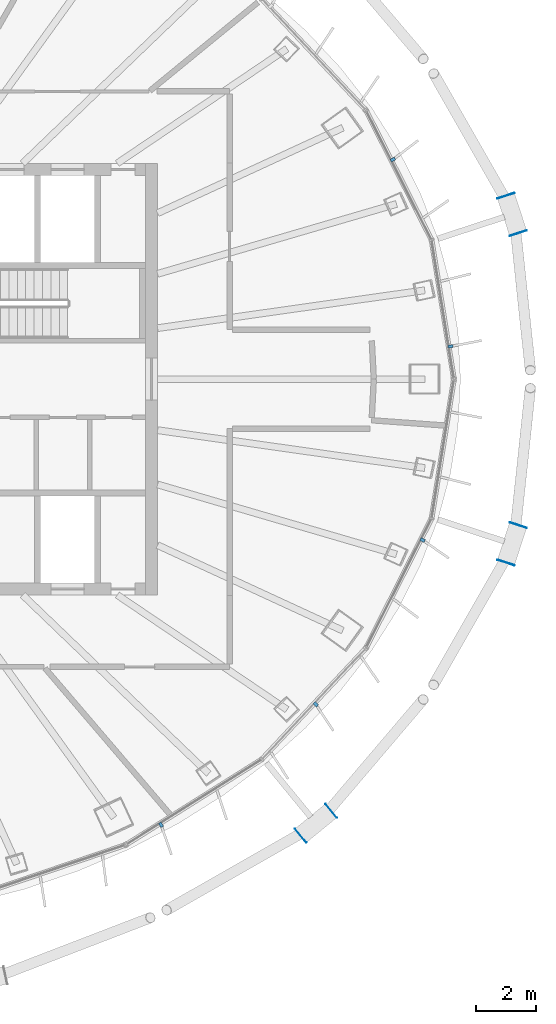
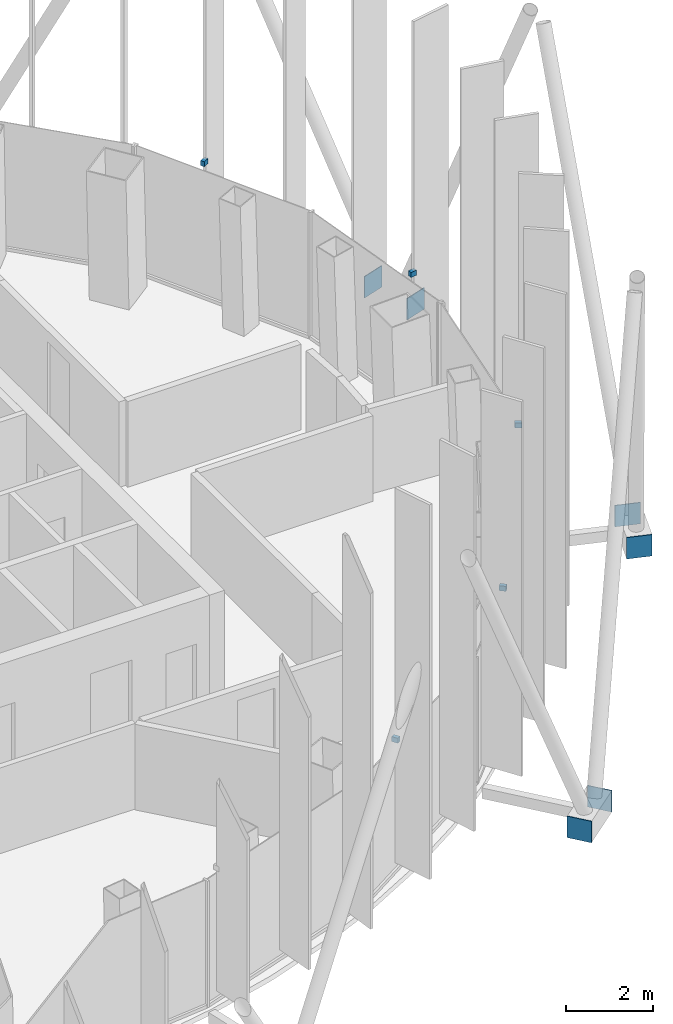
# One storey, part 14 of 19: 11 discrete accessories.
"""IFC4 building model written with IfcOpenShell, lengths in metres."""

from ifc_helpers import new_model, si_unit, direction, frame, origin, origin_2d, place, context, subcontext, project, spatial, rectangle, extrude, material, layer, layer_set, type_object, element, save


model = new_model("IFC4")

# Units and contexts
model_context = context("Model", 3, precision=1e-05, world=origin(), true_north=direction((0.0, 1.0)))
body_context = subcontext(model_context, "Body", "Model", "MODEL_VIEW")
ifc_project = project(units=[si_unit("LENGTHUNIT", "METRE"), si_unit("AREAUNIT", "SQUARE_METRE"), si_unit("VOLUMEUNIT", "CUBIC_METRE"), si_unit("PLANEANGLEUNIT", "RADIAN"), si_unit("MASSUNIT", "GRAM", prefix="KILO")], contexts=[model_context])

# Site, building, storey
site_placement = place(None, origin())
site = spatial("IfcSite", under=ifc_project, at=site_placement, CompositionType="ELEMENT")
building_placement = place(site_placement, origin())
building = spatial("IfcBuilding", under=site, at=building_placement, Name="Siaravel Broadcast Tower", CompositionType="ELEMENT")
storey_placement = place(building_placement, frame((0.0, 0.0, 217.10009765625)))
storey = spatial("IfcBuildingStorey", under=building, at=storey_placement, Name="L52", CompositionType="ELEMENT", Elevation=217.10009765625)

# Discrete accessories
ifc_material_1 = material(Name="Stainless steel 316", Category="steel")
discrete_accessory_type_1 = type_object("IfcDiscreteAccessoryType", Name="Stainless steel fin bracket", PredefinedType="USERDEFINED", material=ifc_material_1)
for number, where, z_axis, x_axis, name in (
    (1, (21.771484375, 1.092529296875, 3.6748046875), (0.0, 0.0, 1.0), (0.987329198, 0.158685394, 0.0), "Fin bracket L52-01"),
    (2, (19.85107421875, 7.326416015625, 3.6748046875), (0.0, 0.0, 1.0), (0.892392939, 0.451259174, 0.0), "Fin bracket L52-04"),
    (3, (12.1123046875, -14.868896484375, 3.6748046875), (0.0, 0.0, 1.0), (0.532149452, -0.846650436, 0.0), "Fin bracket L52-49"),
    (4, (17.277099609375, -10.847412109375, 3.6748046875), (0.0, 0.0, 1.0), (0.729805608, -0.683654718, 0.0), "Fin bracket L52-52"),
    (5, (20.841064453125, -5.368408203125, 3.6748046875), (0.0, 0.0, 1.0), (0.892392939, -0.451259174, 0.0), "Fin bracket L52-55"),
):
    element("IfcDiscreteAccessory", number, at=place(storey_placement, frame(where, z_axis=z_axis, x_axis=x_axis)), inside=storey, type_object=discrete_accessory_type_1, Name=name, ObjectType="BRACKET", PredefinedType="USERDEFINED", context=body_context, shape_type="SweptSolid", body=[
        extrude(rectangle(XDim=0.159912109375, YDim=0.10009765625, at=origin_2d()), origin(), (0.0, 0.0, 1.0), 0.139892578125),
    ])
ifc_material_2 = material(Name="Steel S355", Category="steel")
ifc_layer = layer(ifc_material_2, 0.02001953125)
ifc_layer_set = layer_set([ifc_layer], Name="Steel S355")
discrete_accessory_type_2 = type_object("IfcDiscreteAccessoryType", Name="Steel end plate 20 mm", PredefinedType="USERDEFINED", material=ifc_layer_set)
for number, where, z_axis, x_axis, name in (
    (6, (23.619873046875, 6.119140625, -0.500244140625), (0.0, 0.0, 1.0), (-0.310910334, 0.950439248, 0.0), "End plate R22 station 03A"),
    (7, (24.0283203125, 4.87060546875, -0.500244140625), (0.0, 0.0, 1.0), (-0.310910334, 0.950439248, 0.0), "End plate R22 station 03B"),
    (8, (17.787109375, -14.399169921875, -0.500244140625), (0.0, 0.0, 1.0), (0.7736058, 0.633667158, 0.0), "End plate R22 station 63A"),
    (9, (16.77099609375, -15.231201171875, -0.500244140625), (0.0, 0.0, 1.0), (0.7736058, 0.633667158, 0.0), "End plate R22 station 63B"),
    (10, (24.0283203125, -4.87060546875, -0.500244140625), (0.0, 0.0, 1.0), (0.310910334, 0.950439248, 0.0), "End plate R22 station 69A"),
    (11, (23.619873046875, -6.119140625, -0.500244140625), (0.0, 0.0, 1.0), (0.310910334, 0.950439248, 0.0), "End plate R22 station 69B"),
):
    element("IfcDiscreteAccessory", number, at=place(storey_placement, frame(where, z_axis=z_axis, x_axis=x_axis)), inside=storey, type_object=discrete_accessory_type_2, Name=name, ObjectType="END PLATE", PredefinedType="USERDEFINED", context=body_context, shape_type="SweptSolid", body=[
        extrude(rectangle(XDim=0.02001953125, YDim=0.60009765625, at=origin_2d()), origin(), (0.0, 0.0, 1.0), 0.60009765625),
    ])

save(model, "model.ifc")
